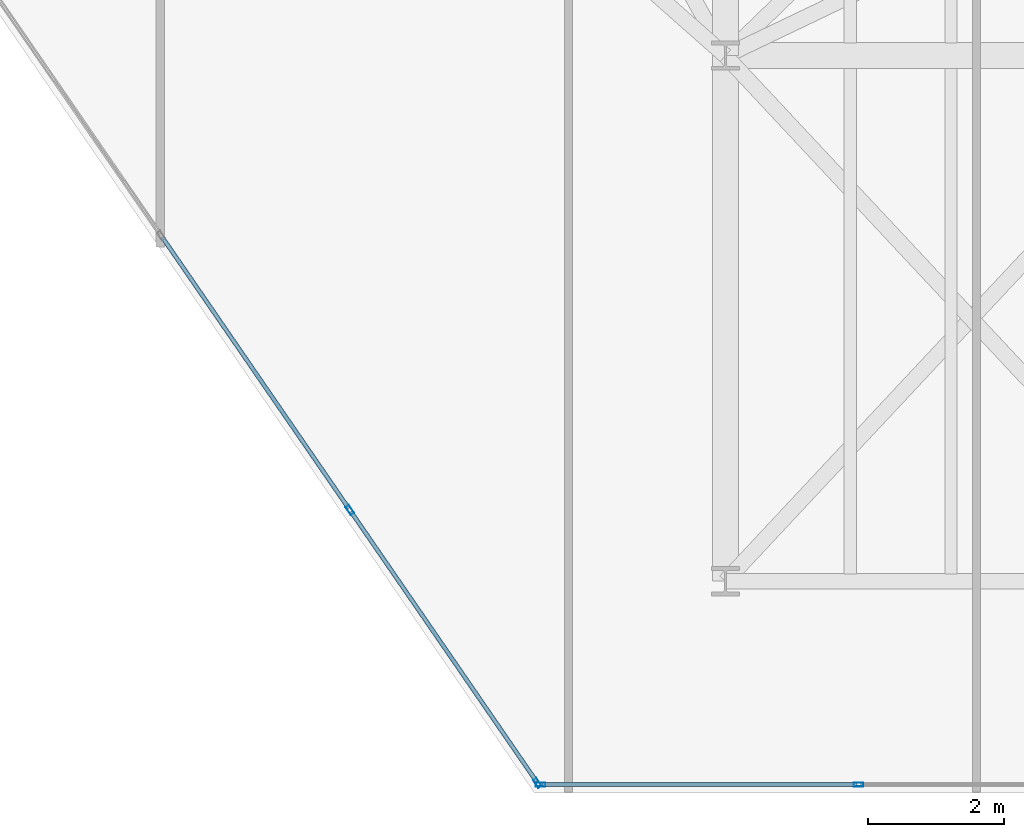
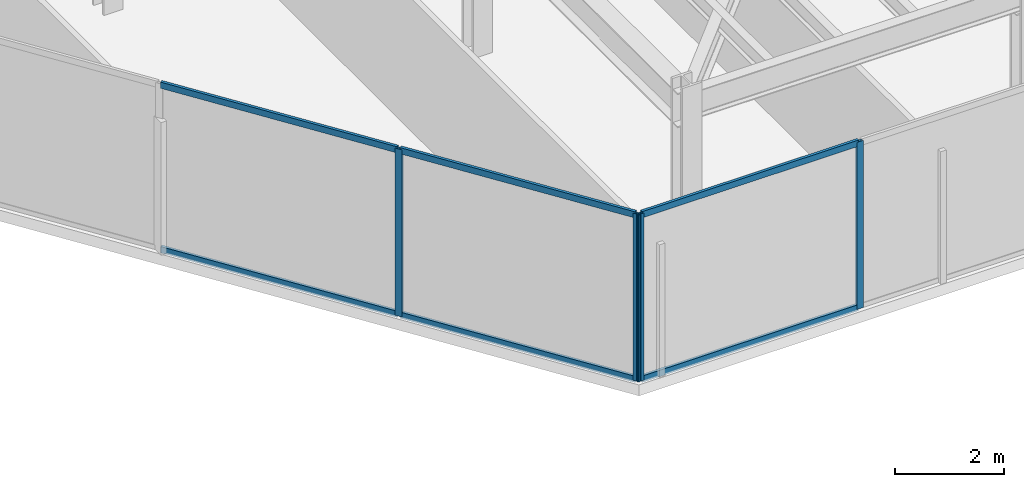
# One storey, part 10 of 21: 10 members, 2 elements without a shape of their own.
"""IFC4 building model written with IfcOpenShell, lengths in metres."""

from ifc_helpers import new_model, si_unit, direction, frame, origin, origin_2d, place, context, subcontext, project, spatial, hollow_rectangle, extrude, material, layer, layer_set, material_profile, profile_set, type_object, element, aggregate, save


model = new_model("IFC4")

# Units and contexts
model_context = context("Model", 3, precision=1e-05, world=origin(), true_north=direction((0.0, 1.0)))
body_context = subcontext(model_context, "Body", "Model", "MODEL_VIEW")
ifc_project = project(units=[si_unit("LENGTHUNIT", "METRE"), si_unit("AREAUNIT", "SQUARE_METRE"), si_unit("VOLUMEUNIT", "CUBIC_METRE"), si_unit("PLANEANGLEUNIT", "RADIAN"), si_unit("MASSUNIT", "GRAM", prefix="KILO")], contexts=[model_context])

# Site, building, storey
site_placement = place(None, origin())
site = spatial("IfcSite", under=ifc_project, at=site_placement, CompositionType="ELEMENT")
building_placement = place(site_placement, origin())
building = spatial("IfcBuilding", under=site, at=building_placement, Name="Kravanh Interchange Tower", CompositionType="ELEMENT")
storey_placement = place(building_placement, frame((0.0, 0.0, 176.5)))
storey = spatial("IfcBuildingStorey", under=building, at=storey_placement, Name="L42", CompositionType="ELEMENT", Elevation=176.5)

# Curtain wall, members
ifc_material_1 = material(Name="Anodised Bronze Aluminium", Category="aluminium")
ifc_layer = layer(ifc_material_1, 0.179931640625)
ifc_layer_set = layer_set([ifc_layer], Name="Unitised Curtain Wall System CW-Z3 Upper Office")
curtain_wall_type = type_object("IfcCurtainWallType", Name="Unitised Curtain Wall System CW-Z3 Upper Office", PredefinedType="NOTDEFINED", material=ifc_layer_set)
curtain_wall_1_placement = place(storey_placement, origin())
curtain_wall_1 = element("IfcCurtainWall", 1, at=curtain_wall_1_placement, inside=storey, type_object=curtain_wall_type, Name="L42 Unitised Curtain Wall CW-L42-02", PredefinedType="NOTDEFINED")
ifc_material_2 = material(Name="Anodised Bronze Aluminium", Category="aluminium")
ifc_material_profile_1 = material_profile(ifc_material_2, hollow_rectangle(XDim=0.06005859375, YDim=0.139892578125, WallThickness=0.00390625, at=origin_2d()), Name="ALU60X140X4")
ifc_profile_set_1 = profile_set([ifc_material_profile_1], Name="Anodised Bronze Aluminium")
member_type_1 = type_object("IfcMemberType", Name="Curtain Wall Mullion ALU60X140X4 Bronze", PredefinedType="MULLION", material=ifc_profile_set_1)
member_1_placement = place(storey_placement, frame((57.9521484375, 11.52001953125, 0.0), z_axis=(0.0, 0.0, 1.0), x_axis=(0.0, -1.0, 0.0)))
member_1 = element("IfcMember", 2, at=member_1_placement, type_object=member_type_1, Name="CW-Z3 mullion 2", PredefinedType="MULLION", context=body_context, shape_type="SweptSolid", body=[
    extrude(hollow_rectangle(XDim=0.06005859375, YDim=0.139892578125, WallThickness=0.00390625, at=origin_2d()), origin(), (0.0, 0.0, 1.0), 3.7548828125),
])
member_2_placement = place(storey_placement, frame((53.293212890625, 11.52001953125, 0.0), z_axis=(0.0, 0.0, 1.0), x_axis=(0.0, -1.0, 0.0)))
member_2 = element("IfcMember", 3, at=member_2_placement, type_object=member_type_1, Name="CW-Z3 mullion 3", PredefinedType="MULLION", context=body_context, shape_type="SweptSolid", body=[
    extrude(hollow_rectangle(XDim=0.06005859375, YDim=0.139892578125, WallThickness=0.00390625, at=origin_2d()), origin(), (0.0, 0.0, 1.0), 3.7548828125),
])

curtain_wall_2_placement = place(storey_placement, origin())
curtain_wall_2 = element("IfcCurtainWall", 4, at=curtain_wall_2_placement, inside=storey, type_object=curtain_wall_type, Name="L42 Unitised Curtain Wall CW-L42-03", PredefinedType="NOTDEFINED")
member_3_placement = place(storey_placement, frame((53.24609375, 11.544677734375, 0.0), z_axis=(0.0, 0.0, 1.0), x_axis=(-0.824042223035, -0.566528388217, 0.0)))
member_3 = element("IfcMember", 5, at=member_3_placement, type_object=member_type_1, Name="CW-Z3 mullion 1", PredefinedType="MULLION", context=body_context, shape_type="SweptSolid", body=[
    extrude(hollow_rectangle(XDim=0.06005859375, YDim=0.139892578125, WallThickness=0.00390625, at=origin_2d()), origin(), (0.0, 0.0, 1.0), 3.7548828125),
])
member_4_placement = place(storey_placement, frame((50.497314453125, 15.54296875, 0.0), z_axis=(0.0, 0.0, 1.0), x_axis=(-0.824042223035, -0.566528388217, 0.0)))
member_4 = element("IfcMember", 6, at=member_4_placement, type_object=member_type_1, Name="CW-Z3 mullion 2", PredefinedType="MULLION", context=body_context, shape_type="SweptSolid", body=[
    extrude(hollow_rectangle(XDim=0.06005859375, YDim=0.139892578125, WallThickness=0.00390625, at=origin_2d()), origin(), (0.0, 0.0, 1.0), 3.7548828125),
])

# Member
ifc_material_3 = material(Name="Anodised Bronze Aluminium", Category="aluminium")
ifc_material_profile_2 = material_profile(ifc_material_3, hollow_rectangle(XDim=0.06005859375, YDim=0.139892578125, WallThickness=0.00390625, at=origin_2d()), Name="ALU60X140X4")
ifc_profile_set_2 = profile_set([ifc_material_profile_2], Name="Anodised Bronze Aluminium")
member_type_2 = type_object("IfcMemberType", Name="Curtain Wall Transom ALU60X140X4 Bronze", PredefinedType="USERDEFINED", material=ifc_profile_set_2)
member_5_placement = place(storey_placement, frame((57.922119140625, 11.52001953125, 0.030029296875), z_axis=(-1.0, 0.0, 0.0), x_axis=(0.0, -1.0, 0.0)))
member_5 = element("IfcMember", 7, at=member_5_placement, type_object=member_type_2, Name="CW-Z3 transom 2.1", ObjectType="TRANSOM", PredefinedType="USERDEFINED", context=body_context, shape_type="SweptSolid", body=[
    extrude(hollow_rectangle(XDim=0.06005859375, YDim=0.139892578125, WallThickness=0.00390625, at=origin_2d()), origin(), (0.0, 0.0, 1.0), 4.59912109375),
])

member_6_placement = place(storey_placement, frame((57.922119140625, 11.52001953125, 3.72509765625), z_axis=(-1.0, 0.0, 0.0), x_axis=(0.0, -1.0, 0.0)))
member_6 = element("IfcMember", 8, at=member_6_placement, type_object=member_type_2, Name="CW-Z3 transom 2.2", ObjectType="TRANSOM", PredefinedType="USERDEFINED", context=body_context, shape_type="SweptSolid", body=[
    extrude(hollow_rectangle(XDim=0.06005859375, YDim=0.139892578125, WallThickness=0.00390625, at=origin_2d()), origin(), (0.0, 0.0, 1.0), 4.59912109375),
])

aggregate(curtain_wall_1, [member_1, member_2, member_5, member_6])

member_7_placement = place(storey_placement, frame((53.22900390625, 11.5693359375, 0.030029296875), z_axis=(-0.566483415384, 0.824073140016, 0.0), x_axis=(-0.824073140016, -0.566483415384, 0.0)))
member_7 = element("IfcMember", 9, at=member_7_placement, type_object=member_type_2, Name="CW-Z3 transom 1.1", ObjectType="TRANSOM", PredefinedType="USERDEFINED", context=body_context, shape_type="SweptSolid", body=[
    extrude(hollow_rectangle(XDim=0.06005859375, YDim=0.139892578125, WallThickness=0.00390625, at=origin_2d()), origin(), (0.0, 0.0, 1.0), 4.7919921875),
])

member_8_placement = place(storey_placement, frame((53.22900390625, 11.5693359375, 3.72509765625), z_axis=(-0.566483415384, 0.824073140016, 0.0), x_axis=(-0.824073140016, -0.566483415384, 0.0)))
member_8 = element("IfcMember", 10, at=member_8_placement, type_object=member_type_2, Name="CW-Z3 transom 1.2", ObjectType="TRANSOM", PredefinedType="USERDEFINED", context=body_context, shape_type="SweptSolid", body=[
    extrude(hollow_rectangle(XDim=0.06005859375, YDim=0.139892578125, WallThickness=0.00390625, at=origin_2d()), origin(), (0.0, 0.0, 1.0), 4.7919921875),
])

member_9_placement = place(storey_placement, frame((50.480224609375, 15.567626953125, 0.030029296875), z_axis=(-0.566503037389, 0.824059651135, 0.0), x_axis=(-0.824059651135, -0.566503037389, 0.0)))
member_9 = element("IfcMember", 11, at=member_9_placement, type_object=member_type_2, Name="CW-Z3 transom 2.1", ObjectType="TRANSOM", PredefinedType="USERDEFINED", context=body_context, shape_type="SweptSolid", body=[
    extrude(hollow_rectangle(XDim=0.06005859375, YDim=0.139892578125, WallThickness=0.00390625, at=origin_2d()), origin(), (0.0, 0.0, 1.0), 4.822021484375),
])

member_10_placement = place(storey_placement, frame((50.480224609375, 15.567626953125, 3.72509765625), z_axis=(-0.566503037389, 0.824059651135, 0.0), x_axis=(-0.824059651135, -0.566503037389, 0.0)))
member_10 = element("IfcMember", 12, at=member_10_placement, type_object=member_type_2, Name="CW-Z3 transom 2.2", ObjectType="TRANSOM", PredefinedType="USERDEFINED", context=body_context, shape_type="SweptSolid", body=[
    extrude(hollow_rectangle(XDim=0.06005859375, YDim=0.139892578125, WallThickness=0.00390625, at=origin_2d()), origin(), (0.0, 0.0, 1.0), 4.822021484375),
])

aggregate(curtain_wall_2, [member_3, member_4, member_7, member_8, member_9, member_10])

save(model, "model.ifc")
